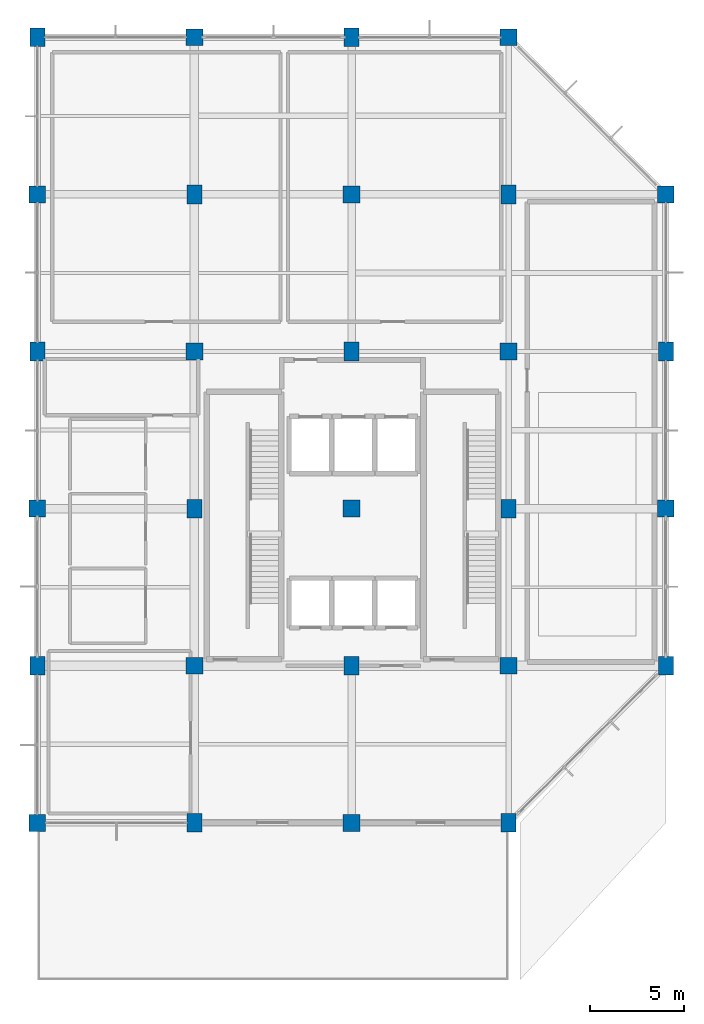
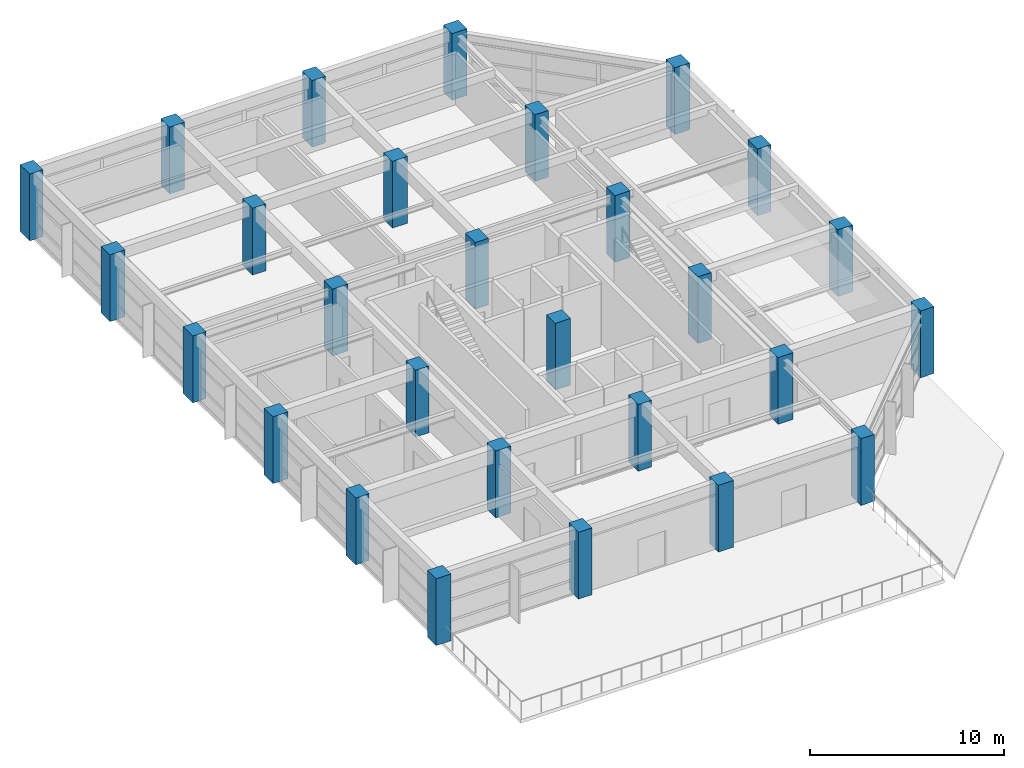
# One storey, part 1 of 11: 28 columns.
"""IFC4 building model written with IfcOpenShell, lengths in metres."""

from ifc_helpers import new_model, si_unit, direction, frame, origin, origin_2d, place, context, subcontext, project, spatial, rectangle, extrude, material, material_profile, profile_set, type_object, element, save


model = new_model("IFC4")

# Units and contexts
model_context = context("Model", 3, precision=1e-05, world=origin(), true_north=direction((0.0, 1.0)))
body_context = subcontext(model_context, "Body", "Model", "MODEL_VIEW")
ifc_project = project(units=[si_unit("LENGTHUNIT", "METRE"), si_unit("AREAUNIT", "SQUARE_METRE"), si_unit("VOLUMEUNIT", "CUBIC_METRE"), si_unit("PLANEANGLEUNIT", "RADIAN"), si_unit("MASSUNIT", "GRAM", prefix="KILO")], contexts=[model_context])

# Site, building, storey
site_placement = place(None, origin())
site = spatial("IfcSite", under=ifc_project, at=site_placement, CompositionType="ELEMENT")
building_placement = place(site_placement, origin())
building = spatial("IfcBuilding", under=site, at=building_placement, Name="Xuanlan Plaza Opera House", CompositionType="ELEMENT")
storey_placement = place(building_placement, frame((0.0, 0.0, 57.300048828125)))
storey = spatial("IfcBuildingStorey", under=building, at=storey_placement, Name="L13", CompositionType="ELEMENT", Elevation=57.300048828125)

# Columns
ifc_material = material(Name="Concrete C50", Category="concrete")
ifc_material_profile_1 = material_profile(ifc_material, rectangle(XDim=0.89990234375, YDim=0.89990234375, at=origin_2d()), Name="RC-COL 900x900")
ifc_profile_set_1 = profile_set([ifc_material_profile_1], Name="Concrete C50")
column_type_1 = type_object("IfcColumnType", Name="STR-COL-C-05", PredefinedType="COLUMN", material=ifc_profile_set_1)
for number, where, z_axis, x_axis, name in (
    (1, (126.0, 42.0, 0.0), (0.0, 0.0, 1.0), (1.0, 0.0, 0.0), "Column L13 16-F"),
    (2, (126.0, 58.800048828125, 0.0), (0.0, 0.0, 1.0), (1.0, 0.0, 0.0), "Column L13 16-H"),
    (3, (126.0, 75.60009765625, 0.0), (0.0, 0.0, 1.0), (1.0, 0.0, 0.0), "Column L13 16-J"),
    (4, (134.39990234375, 50.39990234375, 0.0), (0.0, 0.0, 1.0), (1.0, 0.0, 0.0), "Column L13 17-G"),
    (5, (134.39990234375, 67.199951171875, 0.0), (0.0, 0.0, 1.0), (1.0, 0.0, 0.0), "Column L13 17-I"),
    (6, (134.39990234375, 84.0, 0.0), (0.0, 0.0, 1.0), (1.0, 0.0, 0.0), "Column L13 17-K"),
    (7, (142.800048828125, 42.0, 0.0), (0.0, 0.0, 1.0), (1.0, 0.0, 0.0), "Column L13 18-F"),
    (8, (142.800048828125, 58.800048828125, 0.0), (0.0, 0.0, 1.0), (1.0, 0.0, 0.0), "Column L13 18-H"),
    (9, (142.800048828125, 75.60009765625, 0.0), (0.0, 0.0, 1.0), (1.0, 0.0, 0.0), "Column L13 18-J"),
    (10, (151.199951171875, 50.39990234375, 0.0), (0.0, 0.0, 1.0), (1.0, 0.0, 0.0), "Column L13 19-G"),
    (11, (151.199951171875, 67.199951171875, 0.0), (0.0, 0.0, 1.0), (1.0, 0.0, 0.0), "Column L13 19-I"),
    (12, (151.199951171875, 84.0, 0.0), (0.0, 0.0, 1.0), (1.0, 0.0, 0.0), "Column L13 19-K"),
    (13, (159.60009765625, 58.800048828125, 0.0), (0.0, 0.0, 1.0), (1.0, 0.0, 0.0), "Column L13 20-H"),
    (14, (159.60009765625, 75.60009765625, 0.0), (0.0, 0.0, 1.0), (1.0, 0.0, 0.0), "Column L13 20-J"),
):
    element("IfcColumn", number, at=place(storey_placement, frame(where, z_axis=z_axis, x_axis=x_axis)), inside=storey, type_object=column_type_1, Name=name, PredefinedType="COLUMN", context=body_context, shape_type="SweptSolid", body=[
        extrude(rectangle(XDim=0.89990234375, YDim=0.89990234375, at=origin_2d()), origin(), (0.0, 0.0, 1.0), 4.199951171875),
    ])
ifc_material_profile_2 = material_profile(ifc_material, rectangle(XDim=0.800048828125, YDim=1.0, at=origin_2d()), Name="RC-COL 800x1000")
ifc_profile_set_2 = profile_set([ifc_material_profile_2], Name="Concrete C50")
column_type_2 = type_object("IfcColumnType", Name="STR-COL-C-09", PredefinedType="COLUMN", material=ifc_profile_set_2)
for number, where, z_axis, x_axis, name in (
    (15, (126.0, 50.39990234375, 0.0), (0.0, 0.0, 1.0), (1.0, 0.0, 0.0), "Column L13 16-G"),
    (16, (126.0, 67.199951171875, 0.0), (0.0, 0.0, 1.0), (1.0, 0.0, 0.0), "Column L13 16-I"),
    (17, (126.0, 84.0, 0.0), (0.0, 0.0, 1.0), (1.0, 0.0, 0.0), "Column L13 16-K"),
    (18, (134.39990234375, 42.0, 0.0), (0.0, 0.0, 1.0), (1.0, 0.0, 0.0), "Column L13 17-F"),
    (19, (134.39990234375, 58.800048828125, 0.0), (0.0, 0.0, 1.0), (1.0, 0.0, 0.0), "Column L13 17-H"),
    (20, (134.39990234375, 75.60009765625, 0.0), (0.0, 0.0, 1.0), (1.0, 0.0, 0.0), "Column L13 17-J"),
    (21, (142.800048828125, 50.39990234375, 0.0), (0.0, 0.0, 1.0), (1.0, 0.0, 0.0), "Column L13 18-G"),
    (22, (142.800048828125, 67.199951171875, 0.0), (0.0, 0.0, 1.0), (1.0, 0.0, 0.0), "Column L13 18-I"),
    (23, (142.800048828125, 84.0, 0.0), (0.0, 0.0, 1.0), (1.0, 0.0, 0.0), "Column L13 18-K"),
    (24, (151.199951171875, 42.0, 0.0), (0.0, 0.0, 1.0), (1.0, 0.0, 0.0), "Column L13 19-F"),
    (25, (151.199951171875, 58.800048828125, 0.0), (0.0, 0.0, 1.0), (1.0, 0.0, 0.0), "Column L13 19-H"),
    (26, (151.199951171875, 75.60009765625, 0.0), (0.0, 0.0, 1.0), (1.0, 0.0, 0.0), "Column L13 19-J"),
    (27, (159.60009765625, 50.39990234375, 0.0), (0.0, 0.0, 1.0), (1.0, 0.0, 0.0), "Column L13 20-G"),
    (28, (159.60009765625, 67.199951171875, 0.0), (0.0, 0.0, 1.0), (1.0, 0.0, 0.0), "Column L13 20-I"),
):
    element("IfcColumn", number, at=place(storey_placement, frame(where, z_axis=z_axis, x_axis=x_axis)), inside=storey, type_object=column_type_2, Name=name, PredefinedType="COLUMN", context=body_context, shape_type="SweptSolid", body=[
        extrude(rectangle(XDim=0.800048828125, YDim=1.0, at=origin_2d()), origin(), (0.0, 0.0, 1.0), 4.199951171875),
    ])

save(model, "model.ifc")
